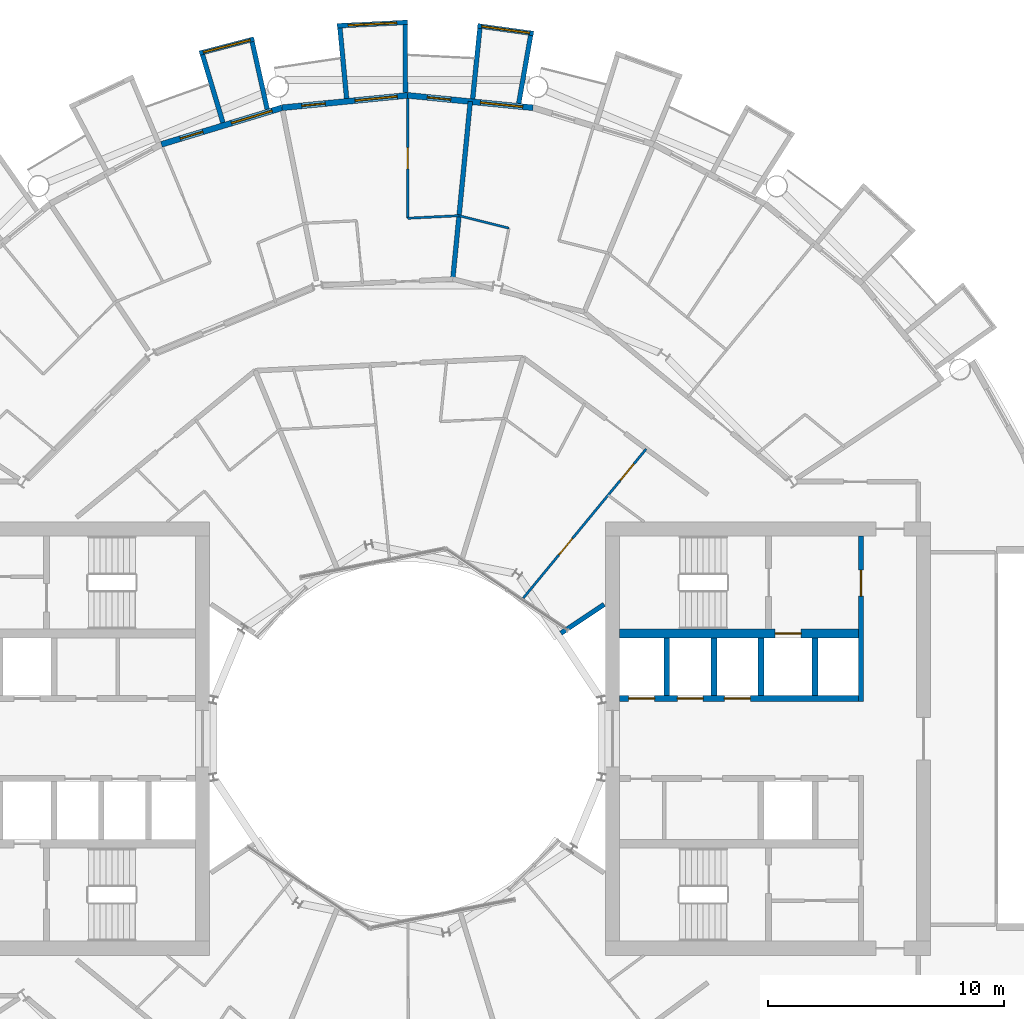
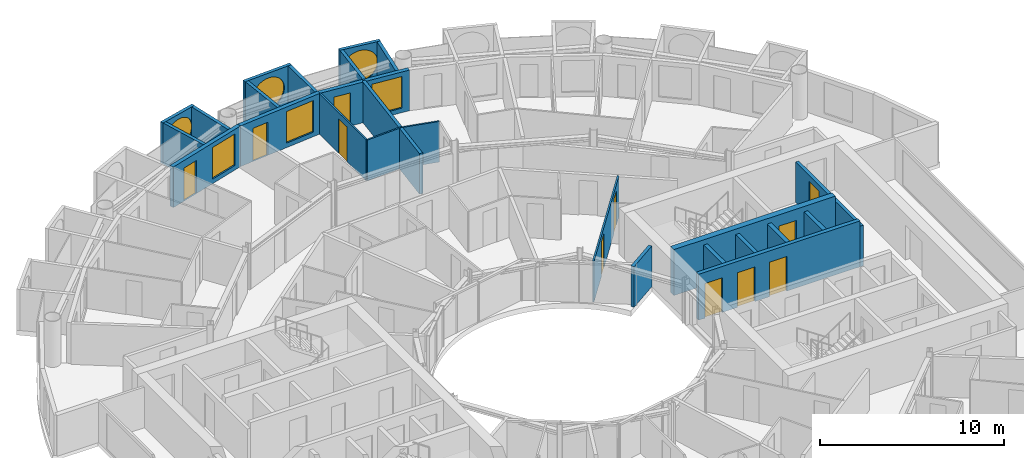
# One storey, part 21 of 27: 25 walls, 11 doors, 6 windows, 17 openings.
"""IFC4 building model written with IfcOpenShell, lengths in metres."""

from ifc_helpers import new_model, si_unit, direction, frame, frame_2d, origin, place, context, subcontext, project, spatial, rectangle, circle, extrude, material, layer, layer_set, type_object, element, fill, save


model = new_model("IFC4")

# Units and contexts
model_context = context("Model", 3, precision=1e-05, world=origin(), true_north=direction((0.0, 1.0)))
body_context = subcontext(model_context, "Body", "Model", "MODEL_VIEW")
ifc_project = project(units=[si_unit("LENGTHUNIT", "METRE"), si_unit("AREAUNIT", "SQUARE_METRE"), si_unit("VOLUMEUNIT", "CUBIC_METRE"), si_unit("PLANEANGLEUNIT", "RADIAN"), si_unit("MASSUNIT", "GRAM", prefix="KILO")], contexts=[model_context])

# Site, building, storey
site_placement = place(None, origin())
site = spatial("IfcSite", under=ifc_project, at=site_placement, CompositionType="ELEMENT")
building_placement = place(site_placement, origin())
building = spatial("IfcBuilding", under=site, at=building_placement, Name="Maasbend Ring Residences", CompositionType="ELEMENT")
storey_placement = place(building_placement, frame((0.0, 0.0, 111.64990234375)))
storey = spatial("IfcBuildingStorey", under=building, at=storey_placement, Name="L31", CompositionType="ELEMENT", Elevation=111.64990234375)

# Wall, openings, doors
ifc_material_1 = material(Name="Concrete C60/75", Category="concrete")
ifc_layer_1 = layer(ifc_material_1, 0.25)
ifc_layer_set_1 = layer_set([ifc_layer_1], Name="Concrete C60/75")
wall_type_1 = type_object("IfcWallType", Name="CORE WALL 250 C60/75", PredefinedType="SHEAR", material=ifc_layer_set_1)
wall_1_placement = place(storey_placement, frame((9.0, 1.699951171875, 0.0), z_axis=(0.0, 0.0, 1.0), x_axis=(1.0, 0.0, 0.0)))
wall_1 = element("IfcWall", 1, at=wall_1_placement, inside=storey, type_object=wall_type_1, Name="L31 core E wall SPN", PredefinedType="SHEAR", context=body_context, shape_type="SweptSolid", body=[
    extrude(rectangle(XDim=10.14990234375, YDim=0.25, at=frame_2d((5.074951171875, 0.0))), origin(), (0.0, 0.0, 1.0), 3.050048828125),
])
opening_1_placement = place(wall_1_placement, frame((0.387451171875, 0.0, 0.0)))
opening_1 = element("IfcOpeningElement", 2, at=opening_1_placement, cuts=wall_1, Name="Opening LD-E3101", PredefinedType="OPENING", context=body_context, shape_type="SweptSolid", body=[
    extrude(rectangle(XDim=1.10009765625, YDim=2.300048828125, at=frame_2d((0.550048828125, 1.14990234375))), frame((0.0, 0.135009765625, 0.0), z_axis=(0.0, -1.0, 0.0), x_axis=(1.0, 0.0, 0.0)), (0.0, 0.0, 1.0), 0.27001953125),
])
opening_2_placement = place(wall_1_placement, frame((2.449951171875, 0.0, 0.0)))
opening_2 = element("IfcOpeningElement", 3, at=opening_2_placement, cuts=wall_1, Name="Opening LD-E3102", PredefinedType="OPENING", context=body_context, shape_type="SweptSolid", body=[
    extrude(rectangle(XDim=1.10009765625, YDim=2.300048828125, at=frame_2d((0.550048828125, 1.14990234375))), frame((0.0, 0.135009765625, 0.0), z_axis=(0.0, -1.0, 0.0), x_axis=(1.0, 0.0, 0.0)), (0.0, 0.0, 1.0), 0.27001953125),
])
opening_3_placement = place(wall_1_placement, frame((4.449951171875, 0.0, 0.0)))
opening_3 = element("IfcOpeningElement", 4, at=opening_3_placement, cuts=wall_1, Name="Opening LD-E3103", PredefinedType="OPENING", context=body_context, shape_type="SweptSolid", body=[
    extrude(rectangle(XDim=1.10009765625, YDim=2.300048828125, at=frame_2d((0.550048828125, 1.14990234375))), frame((0.0, 0.135009765625, 0.0), z_axis=(0.0, -1.0, 0.0), x_axis=(1.0, 0.0, 0.0)), (0.0, 0.0, 1.0), 0.27001953125),
])
ifc_material_2 = material(Name="Stainless steel 316", Category="steel")
door_type_1 = type_object("IfcDoorType", Name="LANDING DOOR 1100 X 2300 FD60", OperationType="DOUBLE_DOOR_SLIDING", PredefinedType="DOOR", material=ifc_material_2)
door_1_placement = place(opening_1_placement, origin())
door_1 = element("IfcDoor", 5, at=door_1_placement, inside=storey, type_object=door_type_1, Name="Landing door LR-E1 L31", OperationType="DOUBLE_DOOR_SLIDING", OverallHeight=2.300048828125, OverallWidth=1.10009765625, PredefinedType="DOOR", context=body_context, shape_type="SweptSolid", body=[
    extrude(rectangle(XDim=1.10009765625, YDim=2.300048828125, at=frame_2d((0.550048828125, 1.14990234375))), frame((0.0, 0.02490234375, 0.0), z_axis=(0.0, -1.0, 0.0), x_axis=(1.0, 0.0, 0.0)), (0.0, 0.0, 1.0), 0.050048828125),
])
fill(opening_1, door_1)
door_2_placement = place(opening_2_placement, origin())
door_2 = element("IfcDoor", 6, at=door_2_placement, inside=storey, type_object=door_type_1, Name="Landing door LR-E2 L31", OperationType="DOUBLE_DOOR_SLIDING", OverallHeight=2.300048828125, OverallWidth=1.10009765625, PredefinedType="DOOR", context=body_context, shape_type="SweptSolid", body=[
    extrude(rectangle(XDim=1.10009765625, YDim=2.300048828125, at=frame_2d((0.550048828125, 1.14990234375))), frame((0.0, 0.02490234375, 0.0), z_axis=(0.0, -1.0, 0.0), x_axis=(1.0, 0.0, 0.0)), (0.0, 0.0, 1.0), 0.050048828125),
])
fill(opening_2, door_2)
door_3_placement = place(opening_3_placement, origin())
door_3 = element("IfcDoor", 7, at=door_3_placement, inside=storey, type_object=door_type_1, Name="Landing door LR-E3 L31", OperationType="DOUBLE_DOOR_SLIDING", OverallHeight=2.300048828125, OverallWidth=1.10009765625, PredefinedType="DOOR", context=body_context, shape_type="SweptSolid", body=[
    extrude(rectangle(XDim=1.10009765625, YDim=2.300048828125, at=frame_2d((0.550048828125, 1.14990234375))), frame((0.0, 0.02490234375, 0.0), z_axis=(0.0, -1.0, 0.0), x_axis=(1.0, 0.0, 0.0)), (0.0, 0.0, 1.0), 0.050048828125),
])
fill(opening_3, door_3)

# Wall, opening, door
ifc_material_3 = material(Name="Concrete C60/75", Category="concrete")
ifc_layer_2 = layer(ifc_material_3, 0.375)
ifc_layer_set_2 = layer_set([ifc_layer_2], Name="Concrete C60/75")
wall_type_2 = type_object("IfcWallType", Name="CORE WALL 375 C60/75", PredefinedType="SHEAR", material=ifc_layer_set_2)
wall_2_placement = place(storey_placement, frame((9.0, 4.46240234375, 0.0), z_axis=(0.0, 0.0, 1.0), x_axis=(1.0, 0.0, 0.0)))
wall_2 = element("IfcWall", 8, at=wall_2_placement, inside=storey, type_object=wall_type_2, Name="L31 core E wall BN", PredefinedType="SHEAR", context=body_context, shape_type="SweptSolid", body=[
    extrude(rectangle(XDim=10.14990234375, YDim=0.375, at=frame_2d((5.074951171875, 0.0))), origin(), (0.0, 0.0, 1.0), 3.050048828125),
])
opening_4_placement = place(wall_2_placement, frame((6.60009765625, 0.0, 0.0)))
opening_4 = element("IfcOpeningElement", 9, at=opening_4_placement, cuts=wall_2, Name="Opening LD-E3104", PredefinedType="OPENING", context=body_context, shape_type="SweptSolid", body=[
    extrude(rectangle(XDim=1.10009765625, YDim=2.300048828125, at=frame_2d((0.550048828125, 1.14990234375))), frame((0.0, 0.197509765625, 0.0), z_axis=(0.0, -1.0, 0.0), x_axis=(1.0, 0.0, 0.0)), (0.0, 0.0, 1.0), 0.39501953125),
])
door_4_placement = place(opening_4_placement, origin())
door_4 = element("IfcDoor", 10, at=door_4_placement, inside=storey, type_object=door_type_1, Name="Landing door FF-E L31", OperationType="DOUBLE_DOOR_SLIDING", OverallHeight=2.300048828125, OverallWidth=1.10009765625, PredefinedType="DOOR", context=body_context, shape_type="SweptSolid", body=[
    extrude(rectangle(XDim=1.10009765625, YDim=2.300048828125, at=frame_2d((0.550048828125, 1.14990234375))), frame((0.0, 0.02490234375, 0.0), z_axis=(0.0, -1.0, 0.0), x_axis=(1.0, 0.0, 0.0)), (0.0, 0.0, 1.0), 0.050048828125),
])
fill(opening_4, door_4)

# Wall, opening, window
ifc_material_4 = material(Name="Pale anodised aluminium panel", Category="aluminium")
ifc_layer_3 = layer(ifc_material_4, 0.199951171875)
ifc_layer_set_3 = layer_set([ifc_layer_3], Name="EW-BOX")
wall_type_3 = type_object("IfcWallType", Name="EW-BOX", PredefinedType="SOLIDWALL", material=ifc_layer_set_3)
wall_3_placement = place(storey_placement, frame((5.344970703125, 29.927001953125, -0.02978515625), z_axis=(0.0, 0.0, 1.0), x_axis=(-0.99061207328, 0.136703036805, 0.0)))
wall_3 = element("IfcWall", 11, at=wall_3_placement, inside=storey, type_object=wall_type_3, Name="Box front N09", PredefinedType="SOLIDWALL", context=body_context, shape_type="SweptSolid", body=[
    extrude(rectangle(XDim=2.391357421875, YDim=0.199951171875, at=frame_2d((1.19580078125, 0.0))), origin(), (0.0, 0.0, 1.0), 2.72998046875),
])
opening_5_placement = place(wall_3_placement, frame((0.15576171875, 0.0, 0.330078125)))
opening_5 = element("IfcOpeningElement", 12, at=opening_5_placement, cuts=wall_3, Name="Opening W-RD", PredefinedType="OPENING", context=body_context, shape_type="SweptSolid", body=[
    extrude(circle(Radius=1.0400390625, at=frame_2d((1.0400390625, 1.0400390625))), frame((0.0, 0.10986328125, 0.0), z_axis=(0.0, -1.0, 0.0), x_axis=(1.0, 0.0, 0.0)), (0.0, 0.0, 1.0), 0.219970703125),
])
ifc_material_5 = material(Name="Aluminium and clear glass", Category="aluminium")
window_type_1 = type_object("IfcWindowType", Name="W-RD", PartitioningType="SINGLE_PANEL", PredefinedType="WINDOW", material=ifc_material_5)
window_1_placement = place(opening_5_placement, origin())
window_1 = element("IfcWindow", 13, at=window_1_placement, inside=storey, type_object=window_type_1, Name="Round window N09", OverallHeight=2.080078125, OverallWidth=2.080078125, PartitioningType="SINGLE_PANEL", PredefinedType="WINDOW", context=body_context, shape_type="SweptSolid", body=[
    extrude(circle(Radius=1.0400390625, at=frame_2d((1.0400390625, 1.0400390625))), frame((0.0, 0.030029296875, 0.0), z_axis=(0.0, -1.0, 0.0), x_axis=(1.0, 0.0, 0.0)), (0.0, 0.0, 1.0), 0.06005859375),
])
fill(opening_5, window_1)

# Walls
wall_4_placement = place(storey_placement, frame((4.719970703125, 26.9609375, -0.02978515625), z_axis=(0.0, 0.0, 1.0), x_axis=(0.172463232037, 0.98501595601, 0.0)))
element("IfcWall", 14, at=wall_4_placement, inside=storey, type_object=wall_type_3, Name="Box side wall N09 left", PredefinedType="SOLIDWALL", context=body_context, shape_type="SweptSolid", body=[
    extrude(rectangle(XDim=2.928955078125, YDim=0.199951171875, at=frame_2d((1.46435546875, 0.0))), origin(), (0.0, 0.0, 1.0), 2.72998046875),
])
wall_5_placement = place(storey_placement, frame((2.763916015625, 27.153076171875, -0.02978515625), z_axis=(0.0, 0.0, 1.0), x_axis=(0.101505487237, 0.994834979311, 0.0)))
element("IfcWall", 15, at=wall_5_placement, inside=storey, type_object=wall_type_3, Name="Box side wall N09 right", PredefinedType="SOLIDWALL", context=body_context, shape_type="SweptSolid", body=[
    extrude(rectangle(XDim=3.006591796875, YDim=0.199951171875, at=frame_2d((1.50341796875, 0.0))), origin(), (0.0, 0.0, 1.0), 2.72998046875),
])

# Wall, opening, window
wall_6_placement = place(storey_placement, frame((0.0048828125, 30.39990234375, -0.02978515625), z_axis=(0.0, 0.0, 1.0), x_axis=(-0.998794083011, -0.049095618353, 0.0)))
wall_6 = element("IfcWall", 16, at=wall_6_placement, inside=storey, type_object=wall_type_3, Name="Box front N11", PredefinedType="SOLIDWALL", context=body_context, shape_type="SweptSolid", body=[
    extrude(rectangle(XDim=2.99365234375, YDim=0.199951171875, at=frame_2d((1.496826171875, 0.0))), origin(), (0.0, 0.0, 1.0), 2.72998046875),
])
opening_6_placement = place(wall_6_placement, frame((0.45654296875, 0.0, 0.330078125)))
opening_6 = element("IfcOpeningElement", 17, at=opening_6_placement, cuts=wall_6, Name="Opening W-RD", PredefinedType="OPENING", context=body_context, shape_type="SweptSolid", body=[
    extrude(circle(Radius=1.0400390625, at=frame_2d((1.0400390625, 1.0400390625))), frame((0.0, 0.10986328125, 0.0), z_axis=(0.0, -1.0, 0.0), x_axis=(1.0, 0.0, 0.0)), (0.0, 0.0, 1.0), 0.219970703125),
])
window_2_placement = place(opening_6_placement, origin())
window_2 = element("IfcWindow", 18, at=window_2_placement, inside=storey, type_object=window_type_1, Name="Round window N11", OverallHeight=2.080078125, OverallWidth=2.080078125, PartitioningType="SINGLE_PANEL", PredefinedType="WINDOW", context=body_context, shape_type="SweptSolid", body=[
    extrude(circle(Radius=1.0400390625, at=frame_2d((1.0400390625, 1.0400390625))), frame((0.0, 0.030029296875, 0.0), z_axis=(0.0, -1.0, 0.0), x_axis=(1.0, 0.0, 0.0)), (0.0, 0.0, 1.0), 0.06005859375),
])
fill(opening_6, window_2)

# Walls
wall_7_placement = place(storey_placement, frame((-0.090087890625, 27.4169921875, -0.02978515625), z_axis=(0.0, 0.0, 1.0), x_axis=(-0.00347308367, 0.999993968827, 0.0)))
element("IfcWall", 19, at=wall_7_placement, inside=storey, type_object=wall_type_3, Name="Box side wall N11 left", PredefinedType="SOLIDWALL", context=body_context, shape_type="SweptSolid", body=[
    extrude(rectangle(XDim=2.882080078125, YDim=0.199951171875, at=frame_2d((1.44091796875, 0.0))), origin(), (0.0, 0.0, 1.0), 2.72998046875),
])
wall_8_placement = place(storey_placement, frame((-2.5859375, 27.1708984375, -0.02978515625), z_axis=(0.0, 0.0, 1.0), x_axis=(-0.094548432284, 0.995520262954, 0.0)))
element("IfcWall", 20, at=wall_8_placement, inside=storey, type_object=wall_type_3, Name="Box side wall N11 right", PredefinedType="SOLIDWALL", context=body_context, shape_type="SweptSolid", body=[
    extrude(rectangle(XDim=3.005615234375, YDim=0.199951171875, at=frame_2d((1.5029296875, 0.0))), origin(), (0.0, 0.0, 1.0), 2.72998046875),
])

# Wall, opening, window
wall_9_placement = place(storey_placement, frame((-6.514892578125, 29.694091796875, -0.02978515625), z_axis=(0.0, 0.0, 1.0), x_axis=(-0.967554339146, -0.252663018266, 0.0)))
wall_9 = element("IfcWall", 21, at=wall_9_placement, inside=storey, type_object=wall_type_3, Name="Box front N13", PredefinedType="SOLIDWALL", context=body_context, shape_type="SweptSolid", body=[
    extrude(rectangle(XDim=2.390625, YDim=0.199951171875, at=frame_2d((1.1953125, 0.0))), origin(), (0.0, 0.0, 1.0), 2.72998046875),
])
opening_7_placement = place(wall_9_placement, frame((0.15576171875, 0.0, 0.330078125)))
opening_7 = element("IfcOpeningElement", 22, at=opening_7_placement, cuts=wall_9, Name="Opening W-RD", PredefinedType="OPENING", context=body_context, shape_type="SweptSolid", body=[
    extrude(circle(Radius=1.0400390625, at=frame_2d((1.0400390625, 1.0400390625))), frame((0.0, 0.10986328125, 0.0), z_axis=(0.0, -1.0, 0.0), x_axis=(1.0, 0.0, 0.0)), (0.0, 0.0, 1.0), 0.219970703125),
])
window_3_placement = place(opening_7_placement, origin())
window_3 = element("IfcWindow", 23, at=window_3_placement, inside=storey, type_object=window_type_1, Name="Round window N13", OverallHeight=2.080078125, OverallWidth=2.080078125, PartitioningType="SINGLE_PANEL", PredefinedType="WINDOW", context=body_context, shape_type="SweptSolid", body=[
    extrude(circle(Radius=1.0400390625, at=frame_2d((1.0400390625, 1.0400390625))), frame((0.0, 0.030029296875, 0.0), z_axis=(0.0, -1.0, 0.0), x_axis=(1.0, 0.0, 0.0)), (0.0, 0.0, 1.0), 0.06005859375),
])
fill(opening_7, window_3)

# Walls
wall_10_placement = place(storey_placement, frame((-5.95703125, 26.715087890625, -0.02978515625), z_axis=(0.0, 0.0, 1.0), x_axis=(-0.217857287091, 0.975980636315, 0.0)))
element("IfcWall", 24, at=wall_10_placement, inside=storey, type_object=wall_type_3, Name="Box side wall N13 left", PredefinedType="SOLIDWALL", context=body_context, shape_type="SweptSolid", body=[
    extrude(rectangle(XDim=2.92822265625, YDim=0.199951171875, at=frame_2d((1.464111328125, 0.0))), origin(), (0.0, 0.0, 1.0), 2.72998046875),
])
wall_11_placement = place(storey_placement, frame((-7.8369140625, 26.14404296875, -0.02978515625), z_axis=(0.0, 0.0, 1.0), x_axis=(-0.287064767992, 0.957911174889, 0.0)))
element("IfcWall", 25, at=wall_11_placement, inside=storey, type_object=wall_type_3, Name="Box side wall N13 right", PredefinedType="SOLIDWALL", context=body_context, shape_type="SweptSolid", body=[
    extrude(rectangle(XDim=3.00634765625, YDim=0.199951171875, at=frame_2d((1.503173828125, 0.0))), origin(), (0.0, 0.0, 1.0), 2.72998046875),
])

# Wall, openings, door, window
ifc_material_6 = material(Name="Aluminium clad insulated panel", Category="aluminium")
ifc_layer_4 = layer(ifc_material_6, 0.25)
ifc_layer_set_4 = layer_set([ifc_layer_4], Name="EW-GL")
wall_type_4 = type_object("IfcWallType", Name="EW-GL", PredefinedType="SOLIDWALL", material=ifc_layer_set_4)
wall_12_placement = place(storey_placement, frame((5.325927734375, 26.77490234375, 0.0), z_axis=(0.0, 0.0, 1.0), x_axis=(-0.995173996315, 0.098126026407, 0.0)))
wall_12 = element("IfcWall", 26, at=wall_12_placement, inside=storey, type_object=wall_type_4, Name="External wall N05", PredefinedType="SOLIDWALL", context=body_context, shape_type="SweptSolid", body=[
    extrude(rectangle(XDim=5.351806640625, YDim=0.25, at=frame_2d((2.67578125, 0.0))), origin(), (0.0, 0.0, 1.0), 2.7001953125),
])
opening_8_placement = place(wall_12_placement, frame((0.441162109375, 0.0, 0.300048828125)))
opening_8 = element("IfcOpeningElement", 27, at=opening_8_placement, cuts=wall_12, Name="Opening W-BX", PredefinedType="OPENING", context=body_context, shape_type="SweptSolid", body=[
    extrude(rectangle(XDim=1.800048828125, YDim=2.10009765625, at=frame_2d((0.89990234375, 1.050048828125))), frame((0.0, 0.135009765625, 0.0), z_axis=(0.0, -1.0, 0.0), x_axis=(1.0, 0.0, 0.0)), (0.0, 0.0, 1.0), 0.27001953125),
])
opening_9_placement = place(wall_12_placement, frame((3.510498046875, 0.0, 0.0)))
opening_9 = element("IfcOpeningElement", 28, at=opening_9_placement, cuts=wall_12, Name="Opening D-LG", PredefinedType="OPENING", context=body_context, shape_type="SweptSolid", body=[
    extrude(rectangle(XDim=1.0, YDim=2.199951171875, at=frame_2d((0.5, 1.10009765625))), frame((0.0, 0.135009765625, 0.0), z_axis=(0.0, -1.0, 0.0), x_axis=(1.0, 0.0, 0.0)), (0.0, 0.0, 1.0), 0.27001953125),
])
ifc_material_7 = material(Name="Aluminium and clear glass", Category="aluminium")
door_type_2 = type_object("IfcDoorType", Name="D-LG", OperationType="SINGLE_SWING_LEFT", PredefinedType="DOOR", material=ifc_material_7)
door_5_placement = place(opening_9_placement, origin())
door_5 = element("IfcDoor", 29, at=door_5_placement, inside=storey, type_object=door_type_2, Name="Loggia door N10", OperationType="SINGLE_SWING_LEFT", OverallHeight=2.199951171875, OverallWidth=1.0, PredefinedType="DOOR", context=body_context, shape_type="SweptSolid", body=[
    extrude(rectangle(XDim=1.0, YDim=2.199951171875, at=frame_2d((0.5, 1.10009765625))), frame((0.0, 0.02490234375, 0.0), z_axis=(0.0, -1.0, 0.0), x_axis=(1.0, 0.0, 0.0)), (0.0, 0.0, 1.0), 0.050048828125),
])
fill(opening_9, door_5)
ifc_material_8 = material(Name="Aluminium and clear glass", Category="aluminium")
window_type_2 = type_object("IfcWindowType", Name="W-BX", PartitioningType="DOUBLE_PANEL_VERTICAL", PredefinedType="WINDOW", material=ifc_material_8)
window_4_placement = place(opening_8_placement, origin())
window_4 = element("IfcWindow", 30, at=window_4_placement, inside=storey, type_object=window_type_2, Name="Window N09 room to box", OverallHeight=2.10009765625, OverallWidth=1.800048828125, PartitioningType="SINGLE_PANEL", PredefinedType="WINDOW", context=body_context, shape_type="SweptSolid", body=[
    extrude(rectangle(XDim=1.800048828125, YDim=2.10009765625, at=frame_2d((0.89990234375, 1.050048828125))), frame((0.0, 0.030029296875, 0.0), z_axis=(0.0, -1.0, 0.0), x_axis=(1.0, 0.0, 0.0)), (0.0, 0.0, 1.0), 0.06005859375),
])
fill(opening_8, window_4)

wall_13_placement = place(storey_placement, frame((0.0, 27.300048828125, 0.0), z_axis=(0.0, 0.0, 1.0), x_axis=(-0.995173996315, -0.098126026407, 0.0)))
wall_13 = element("IfcWall", 31, at=wall_13_placement, inside=storey, type_object=wall_type_4, Name="External wall N06", PredefinedType="SOLIDWALL", context=body_context, shape_type="SweptSolid", body=[
    extrude(rectangle(XDim=5.351806640625, YDim=0.25, at=frame_2d((2.67578125, 0.0))), origin(), (0.0, 0.0, 1.0), 2.7001953125),
])
opening_10_placement = place(wall_13_placement, frame((0.441162109375, 0.0, 0.300048828125)))
opening_10 = element("IfcOpeningElement", 32, at=opening_10_placement, cuts=wall_13, Name="Opening W-BX", PredefinedType="OPENING", context=body_context, shape_type="SweptSolid", body=[
    extrude(rectangle(XDim=1.800048828125, YDim=2.10009765625, at=frame_2d((0.89990234375, 1.050048828125))), frame((0.0, 0.135009765625, 0.0), z_axis=(0.0, -1.0, 0.0), x_axis=(1.0, 0.0, 0.0)), (0.0, 0.0, 1.0), 0.27001953125),
])
opening_11_placement = place(wall_13_placement, frame((3.510498046875, 0.0, 0.0)))
opening_11 = element("IfcOpeningElement", 33, at=opening_11_placement, cuts=wall_13, Name="Opening D-LG", PredefinedType="OPENING", context=body_context, shape_type="SweptSolid", body=[
    extrude(rectangle(XDim=1.0, YDim=2.199951171875, at=frame_2d((0.5, 1.10009765625))), frame((0.0, 0.135009765625, 0.0), z_axis=(0.0, -1.0, 0.0), x_axis=(1.0, 0.0, 0.0)), (0.0, 0.0, 1.0), 0.27001953125),
])
door_6_placement = place(opening_11_placement, origin())
door_6 = element("IfcDoor", 34, at=door_6_placement, inside=storey, type_object=door_type_2, Name="Loggia door N12", OperationType="SINGLE_SWING_LEFT", OverallHeight=2.199951171875, OverallWidth=1.0, PredefinedType="DOOR", context=body_context, shape_type="SweptSolid", body=[
    extrude(rectangle(XDim=1.0, YDim=2.199951171875, at=frame_2d((0.5, 1.10009765625))), frame((0.0, 0.02490234375, 0.0), z_axis=(0.0, -1.0, 0.0), x_axis=(1.0, 0.0, 0.0)), (0.0, 0.0, 1.0), 0.050048828125),
])
fill(opening_11, door_6)
window_5_placement = place(opening_10_placement, origin())
window_5 = element("IfcWindow", 35, at=window_5_placement, inside=storey, type_object=window_type_2, Name="Window N11 room to box", OverallHeight=2.10009765625, OverallWidth=1.800048828125, PartitioningType="SINGLE_PANEL", PredefinedType="WINDOW", context=body_context, shape_type="SweptSolid", body=[
    extrude(rectangle(XDim=1.800048828125, YDim=2.10009765625, at=frame_2d((0.89990234375, 1.050048828125))), frame((0.0, 0.030029296875, 0.0), z_axis=(0.0, -1.0, 0.0), x_axis=(1.0, 0.0, 0.0)), (0.0, 0.0, 1.0), 0.06005859375),
])
fill(opening_10, window_5)

wall_14_placement = place(storey_placement, frame((-5.325927734375, 26.77490234375, 0.0), z_axis=(0.0, 0.0, 1.0), x_axis=(-0.956965678721, -0.290201119486, 0.0)))
wall_14 = element("IfcWall", 36, at=wall_14_placement, inside=storey, type_object=wall_type_4, Name="External wall N07", PredefinedType="SOLIDWALL", context=body_context, shape_type="SweptSolid", body=[
    extrude(rectangle(XDim=5.351318359375, YDim=0.25, at=frame_2d((2.67578125, 0.0))), origin(), (0.0, 0.0, 1.0), 2.7001953125),
])
opening_12_placement = place(wall_14_placement, frame((0.441162109375, 0.0, 0.300048828125)))
opening_12 = element("IfcOpeningElement", 37, at=opening_12_placement, cuts=wall_14, Name="Opening W-BX", PredefinedType="OPENING", context=body_context, shape_type="SweptSolid", body=[
    extrude(rectangle(XDim=1.800048828125, YDim=2.10009765625, at=frame_2d((0.89990234375, 1.050048828125))), frame((0.0, 0.135009765625, 0.0), z_axis=(0.0, -1.0, 0.0), x_axis=(1.0, 0.0, 0.0)), (0.0, 0.0, 1.0), 0.27001953125),
])
opening_13_placement = place(wall_14_placement, frame((3.510498046875, 0.0, 0.0)))
opening_13 = element("IfcOpeningElement", 38, at=opening_13_placement, cuts=wall_14, Name="Opening D-LG", PredefinedType="OPENING", context=body_context, shape_type="SweptSolid", body=[
    extrude(rectangle(XDim=1.0, YDim=2.199951171875, at=frame_2d((0.5, 1.10009765625))), frame((0.0, 0.135009765625, 0.0), z_axis=(0.0, -1.0, 0.0), x_axis=(1.0, 0.0, 0.0)), (0.0, 0.0, 1.0), 0.27001953125),
])
door_7_placement = place(opening_13_placement, origin())
door_7 = element("IfcDoor", 39, at=door_7_placement, inside=storey, type_object=door_type_2, Name="Loggia door N14", OperationType="SINGLE_SWING_LEFT", OverallHeight=2.199951171875, OverallWidth=1.0, PredefinedType="DOOR", context=body_context, shape_type="SweptSolid", body=[
    extrude(rectangle(XDim=1.0, YDim=2.199951171875, at=frame_2d((0.5, 1.10009765625))), frame((0.0, 0.02490234375, 0.0), z_axis=(0.0, -1.0, 0.0), x_axis=(1.0, 0.0, 0.0)), (0.0, 0.0, 1.0), 0.050048828125),
])
fill(opening_13, door_7)
window_6_placement = place(opening_12_placement, origin())
window_6 = element("IfcWindow", 40, at=window_6_placement, inside=storey, type_object=window_type_2, Name="Window N13 room to box", OverallHeight=2.10009765625, OverallWidth=1.800048828125, PartitioningType="SINGLE_PANEL", PredefinedType="WINDOW", context=body_context, shape_type="SweptSolid", body=[
    extrude(rectangle(XDim=1.800048828125, YDim=2.10009765625, at=frame_2d((0.89990234375, 1.050048828125))), frame((0.0, 0.030029296875, 0.0), z_axis=(0.0, -1.0, 0.0), x_axis=(1.0, 0.0, 0.0)), (0.0, 0.0, 1.0), 0.06005859375),
])
fill(opening_12, window_6)

# Wall, opening, door
ifc_material_9 = material(Name="Gypsum board on steel studs", Category="steel")
ifc_layer_5 = layer(ifc_material_9, 0.10009765625)
ifc_layer_set_5 = layer_set([ifc_layer_5], Name="PARTITION 100 GYPSUM")
wall_type_5 = type_object("IfcWallType", Name="PARTITION 100 GYPSUM", PredefinedType="PARTITIONING", material=ifc_layer_set_5)
wall_15_placement = place(storey_placement, frame((0.007080078125, 22.0859375, 0.0), z_axis=(0.0, 0.0, 1.0), x_axis=(0.000383785052, 0.999999926355, 0.0)))
wall_15 = element("IfcWall", 41, at=wall_15_placement, inside=storey, type_object=wall_type_5, Name="U-L31-w057", PredefinedType="PARTITIONING", context=body_context, shape_type="SweptSolid", body=[
    extrude(rectangle(XDim=5.089111328125, YDim=0.10009765625, at=frame_2d((2.54443359375, 0.0))), origin(), (0.0, 0.0, 1.0), 2.7001953125),
])
opening_14_placement = place(wall_15_placement, frame((2.094970703125, 0.0, 0.0)))
opening_14 = element("IfcOpeningElement", 42, at=opening_14_placement, cuts=wall_15, Name="Opening D-3112", PredefinedType="OPENING", context=body_context, shape_type="SweptSolid", body=[
    extrude(rectangle(XDim=0.89990234375, YDim=2.300048828125, at=frame_2d((0.449951171875, 1.14990234375))), frame((0.0, 0.06005859375, 0.0), z_axis=(0.0, -1.0, 0.0), x_axis=(1.0, 0.0, 0.0)), (0.0, 0.0, 1.0), 0.1201171875),
])
ifc_material_10 = material(Name="Timber, painted", Category="wood")
door_type_3 = type_object("IfcDoorType", Name="INTERNAL DOOR 900 X 2300", OperationType="NOTDEFINED", PredefinedType="DOOR", material=ifc_material_10)
door_8_placement = place(opening_14_placement, origin())
door_8 = element("IfcDoor", 43, at=door_8_placement, inside=storey, type_object=door_type_3, Name="D-3112", OperationType="SINGLE_SWING_RIGHT", OverallHeight=2.300048828125, OverallWidth=0.89990234375, PredefinedType="DOOR", context=body_context, shape_type="SweptSolid", body=[
    extrude(rectangle(XDim=0.89990234375, YDim=2.300048828125, at=frame_2d((0.449951171875, 1.14990234375))), frame((0.0, 0.02490234375, 0.0), z_axis=(0.0, -1.0, 0.0), x_axis=(1.0, 0.0, 0.0)), (0.0, 0.0, 1.0), 0.050048828125),
])
fill(opening_14, door_8)

# Wall, openings, doors
wall_16_placement = place(storey_placement, frame((4.908935546875, 5.9580078125, 0.0), z_axis=(0.0, 0.0, 1.0), x_axis=(0.635976043025, 0.771708800454, 0.0)))
wall_16 = element("IfcWall", 44, at=wall_16_placement, inside=storey, type_object=wall_type_5, Name="U-L31-w069", PredefinedType="PARTITIONING", context=body_context, shape_type="SweptSolid", body=[
    extrude(rectangle(XDim=8.212890625, YDim=0.10009765625, at=frame_2d((4.1064453125, 0.0))), origin(), (0.0, 0.0, 1.0), 2.7001953125),
])
opening_15_placement = place(wall_16_placement, frame((6.489990234375, 0.0, 0.0)))
opening_15 = element("IfcOpeningElement", 45, at=opening_15_placement, cuts=wall_16, Name="Opening D-3123", PredefinedType="OPENING", context=body_context, shape_type="SweptSolid", body=[
    extrude(rectangle(XDim=0.89990234375, YDim=2.300048828125, at=frame_2d((0.449951171875, 1.14990234375))), frame((0.0, 0.06005859375, 0.0), z_axis=(0.0, -1.0, 0.0), x_axis=(1.0, 0.0, 0.0)), (0.0, 0.0, 1.0), 0.1201171875),
])
opening_16_placement = place(wall_16_placement, frame((2.384033203125, 0.0, 0.0)))
opening_16 = element("IfcOpeningElement", 46, at=opening_16_placement, cuts=wall_16, Name="Opening D-3124", PredefinedType="OPENING", context=body_context, shape_type="SweptSolid", body=[
    extrude(rectangle(XDim=0.89990234375, YDim=2.300048828125, at=frame_2d((0.449951171875, 1.14990234375))), frame((0.0, 0.06005859375, 0.0), z_axis=(0.0, -1.0, 0.0), x_axis=(1.0, 0.0, 0.0)), (0.0, 0.0, 1.0), 0.1201171875),
])
door_9_placement = place(opening_15_placement, origin())
door_9 = element("IfcDoor", 47, at=door_9_placement, inside=storey, type_object=door_type_3, Name="D-3123", OperationType="SINGLE_SWING_RIGHT", OverallHeight=2.300048828125, OverallWidth=0.89990234375, PredefinedType="DOOR", context=body_context, shape_type="SweptSolid", body=[
    extrude(rectangle(XDim=0.89990234375, YDim=2.300048828125, at=frame_2d((0.449951171875, 1.14990234375))), frame((0.0, 0.02490234375, 0.0), z_axis=(0.0, -1.0, 0.0), x_axis=(1.0, 0.0, 0.0)), (0.0, 0.0, 1.0), 0.050048828125),
])
fill(opening_15, door_9)
door_10_placement = place(opening_16_placement, origin())
door_10 = element("IfcDoor", 48, at=door_10_placement, inside=storey, type_object=door_type_3, Name="D-3124", OperationType="SINGLE_SWING_LEFT", OverallHeight=2.300048828125, OverallWidth=0.89990234375, PredefinedType="DOOR", context=body_context, shape_type="SweptSolid", body=[
    extrude(rectangle(XDim=0.89990234375, YDim=2.300048828125, at=frame_2d((0.449951171875, 1.14990234375))), frame((0.0, 0.02490234375, 0.0), z_axis=(0.0, -1.0, 0.0), x_axis=(1.0, 0.0, 0.0)), (0.0, 0.0, 1.0), 0.050048828125),
])
fill(opening_16, door_10)

# Walls
wall_17_placement = place(storey_placement, frame((0.007080078125, 22.0859375, 0.0), z_axis=(0.0, 0.0, 1.0), x_axis=(0.998792477005, 0.049128279821, 0.0)))
element("IfcWall", 49, at=wall_17_placement, inside=storey, type_object=wall_type_5, Name="U-L31-w114", PredefinedType="PARTITIONING", context=body_context, shape_type="SweptSolid", body=[
    extrude(rectangle(XDim=2.181640625, YDim=0.10009765625, at=frame_2d((1.0908203125, 0.0))), origin(), (0.0, 0.0, 1.0), 2.7001953125),
])
wall_18_placement = place(storey_placement, frame((2.18603515625, 22.193115234375, 0.0), z_axis=(0.0, 0.0, 1.0), x_axis=(0.97003047456, -0.242983288366, 0.0)))
element("IfcWall", 50, at=wall_18_placement, inside=storey, type_object=wall_type_5, Name="U-L31-w115", PredefinedType="PARTITIONING", context=body_context, shape_type="SweptSolid", body=[
    extrude(rectangle(XDim=2.181396484375, YDim=0.10009765625, at=frame_2d((1.0908203125, 0.0))), origin(), (0.0, 0.0, 1.0), 2.7001953125),
])
ifc_material_11 = material(Name="Concrete C30/37", Category="concrete")
ifc_layer_6 = layer(ifc_material_11, 0.199951171875)
ifc_layer_set_6 = layer_set([ifc_layer_6], Name="Concrete C30/37")
wall_type_6 = type_object("IfcWallType", Name="PARTY WALL 200 CONCRETE", PredefinedType="PARTITIONING", material=ifc_layer_set_6)
wall_19_placement = place(storey_placement, frame((1.9208984375, 19.506103515625, 0.0), z_axis=(0.0, 0.0, 1.0), x_axis=(0.098115395479, 0.995175044487, 0.0)))
element("IfcWall", 51, at=wall_19_placement, inside=storey, type_object=wall_type_6, Name="U-L31-w061", PredefinedType="PARTITIONING", context=body_context, shape_type="SweptSolid", body=[
    extrude(rectangle(XDim=7.574462890625, YDim=0.199951171875, at=frame_2d((3.787109375, 0.0))), origin(), (0.0, 0.0, 1.0), 2.7001953125),
])
wall_20_placement = place(storey_placement, frame((6.512939453125, 4.471923828125, 0.0), z_axis=(0.0, 0.0, 1.0), x_axis=(0.831333375071, 0.555774072347, 0.0)))
element("IfcWall", 52, at=wall_20_placement, inside=storey, type_object=wall_type_6, Name="U-L31-w087", PredefinedType="PARTITIONING", context=body_context, shape_type="SweptSolid", body=[
    extrude(rectangle(XDim=2.20263671875, YDim=0.199951171875, at=frame_2d((1.101318359375, 0.0))), origin(), (0.0, 0.0, 1.0), 2.7001953125),
])

# Wall, opening, door
ifc_material_12 = material(Name="Concrete C30/37", Category="concrete")
ifc_layer_7 = layer(ifc_material_12, 0.199951171875)
ifc_layer_set_7 = layer_set([ifc_layer_7], Name="Concrete C30/37")
wall_type_7 = type_object("IfcWallType", Name="SHAFT WALL 200 EI 120", PredefinedType="SOLIDWALL", material=ifc_layer_set_7)
wall_21_placement = place(storey_placement, frame((19.25, 1.574951171875, 0.0), z_axis=(0.0, 0.0, 1.0), x_axis=(0.0, 1.0, 0.0)))
wall_21 = element("IfcWall", 53, at=wall_21_placement, inside=storey, type_object=wall_type_7, Name="L31 core E wall ENDN", PredefinedType="SOLIDWALL", context=body_context, shape_type="SweptSolid", body=[
    extrude(rectangle(XDim=7.025146484375, YDim=0.199951171875, at=frame_2d((3.5126953125, 0.0))), origin(), (0.0, 0.0, 1.0), 2.7001953125),
])
opening_17_placement = place(wall_21_placement, frame((4.47509765625, 0.0, 0.0)))
opening_17 = element("IfcOpeningElement", 54, at=opening_17_placement, cuts=wall_21, Name="Opening D-E3112", PredefinedType="OPENING", context=body_context, shape_type="SweptSolid", body=[
    extrude(rectangle(XDim=1.10009765625, YDim=2.300048828125, at=frame_2d((0.550048828125, 1.14990234375))), frame((0.0, 0.10986328125, 0.0), z_axis=(0.0, -1.0, 0.0), x_axis=(1.0, 0.0, 0.0)), (0.0, 0.0, 1.0), 0.219970703125),
])
ifc_material_13 = material(Name="Steel, powder coated", Category="steel")
door_type_4 = type_object("IfcDoorType", Name="LOBBY DOOR 1100 X 2300 FD60", OperationType="NOTDEFINED", PredefinedType="DOOR", material=ifc_material_13)
door_11_placement = place(opening_17_placement, origin())
door_11 = element("IfcDoor", 55, at=door_11_placement, inside=storey, type_object=door_type_4, Name="Lobby door L31", OperationType="SINGLE_SWING_LEFT", OverallHeight=2.300048828125, OverallWidth=1.10009765625, PredefinedType="DOOR", context=body_context, shape_type="SweptSolid", body=[
    extrude(rectangle(XDim=1.10009765625, YDim=2.300048828125, at=frame_2d((0.550048828125, 1.14990234375))), frame((0.0, 0.02490234375, 0.0), z_axis=(0.0, -1.0, 0.0), x_axis=(1.0, 0.0, 0.0)), (0.0, 0.0, 1.0), 0.050048828125),
])
fill(opening_17, door_11)

# Walls
ifc_material_14 = material(Name="Concrete C30/37", Category="concrete")
ifc_layer_8 = layer(ifc_material_14, 0.25)
ifc_layer_set_8 = layer_set([ifc_layer_8], Name="Concrete C30/37")
wall_type_8 = type_object("IfcWallType", Name="SHAFT WALL 250 EI 120", PredefinedType="SOLIDWALL", material=ifc_layer_set_8)
for number, where, z_axis, x_axis, name in (
    (56, (15.0, 1.824951171875, 0.0), (0.0, 0.0, 1.0), (0.0, 1.0, 0.0), "L31 core E wall D150N"),
    (57, (17.300048828125, 1.824951171875, 0.0), (0.0, 0.0, 1.0), (0.0, 1.0, 0.0), "L31 core E wall D173N"),
    (58, (11.0, 1.824951171875, 0.0), (0.0, 0.0, 1.0), (0.0, 1.0, 0.0), "L31 core E wall D110N"),
    (59, (13.0, 1.824951171875, 0.0), (0.0, 0.0, 1.0), (0.0, 1.0, 0.0), "L31 core E wall D130N"),
):
    element("IfcWall", number, at=place(storey_placement, frame(where, z_axis=z_axis, x_axis=x_axis)), inside=storey, type_object=wall_type_8, Name=name, PredefinedType="SOLIDWALL", context=body_context, shape_type="SweptSolid", body=[
        extrude(rectangle(XDim=2.449951171875, YDim=0.25, at=frame_2d((1.22509765625, 0.0))), origin(), (0.0, 0.0, 1.0), 2.7001953125),
    ])

save(model, "model.ifc")
